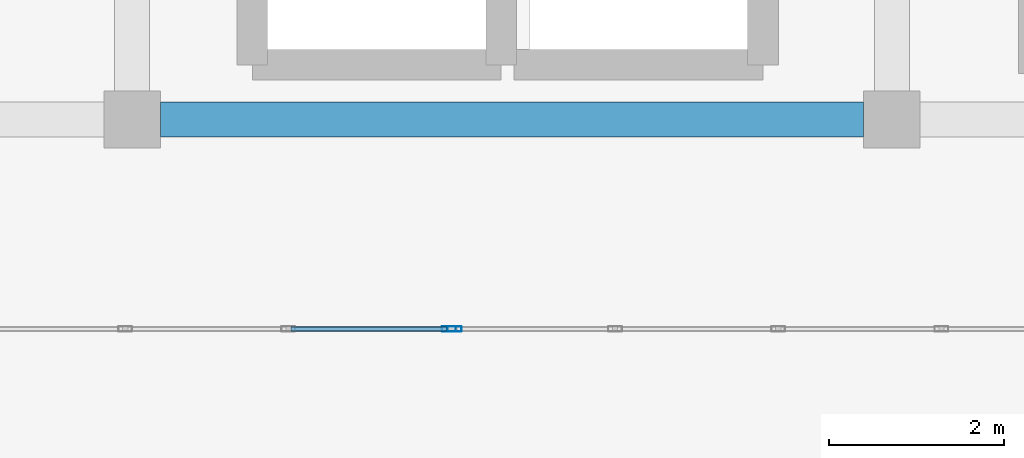
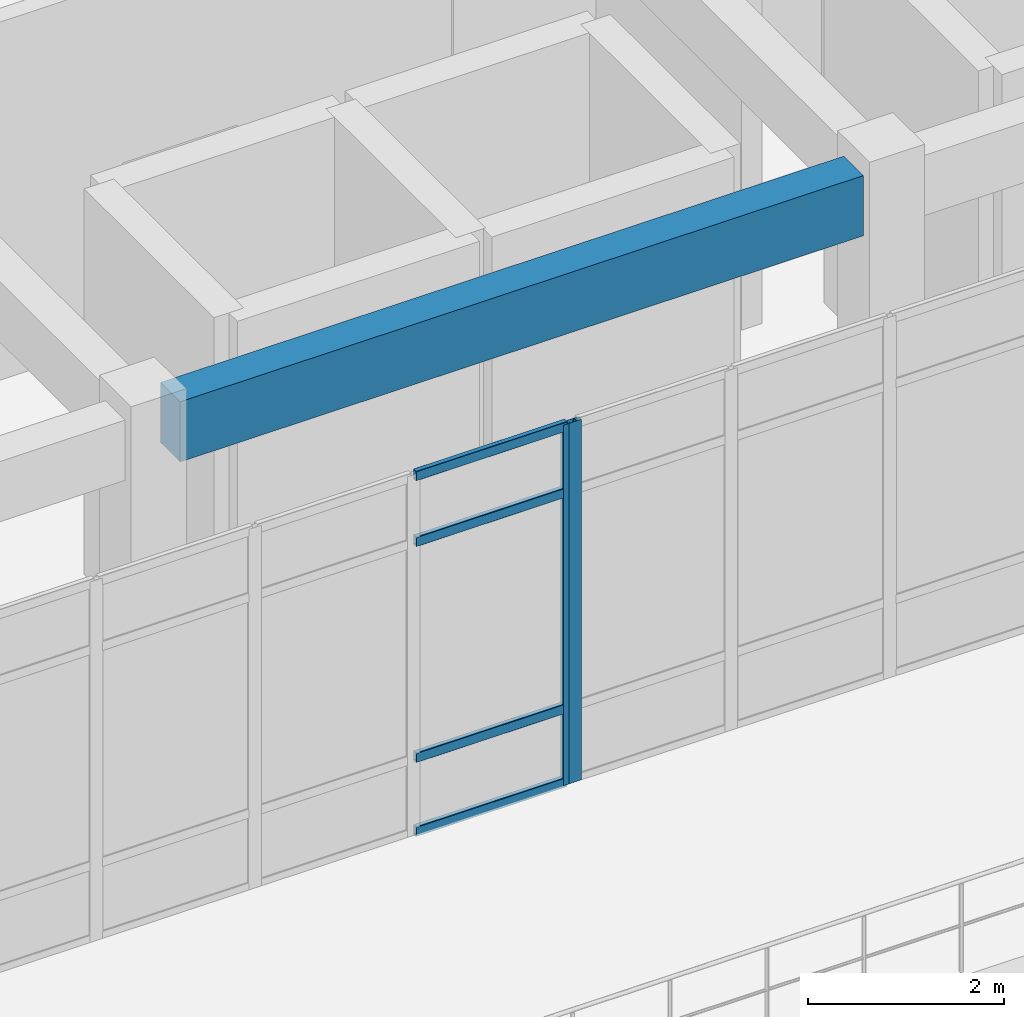
# One storey, part 13 of 41: 6 members, 1 beam, 2 elements without a shape of their own.
"""IFC4 building model written with IfcOpenShell, lengths in metres."""

import ifcopenshell
import ifcopenshell.guid

model = None  # the IFC model being written
_history = None  # IfcOwnerHistory: only IFC2X3 demands one
_inside = {}  # id of a spatial element -> (the spatial element, [elements in it])
_under = {}  # id of a project, library or spatial element -> (it, [spatial elements below it])
_declared = {}  # id of a project -> (the project, [libraries it declares])
_typed = {}  # id of a type object -> (the type object, [elements of that type])
_made_of = {}  # id of a material, layer set ... -> (it, [elements and type objects made of it])


def new_model(schema):
    """Start an empty IFC model of exactly this schema.

    Asked for "IFC4X3", IfcOpenShell would pick the latest addendum, in which some entities
    have other attributes; the version numbers below select the first issue.
    IFC2X3 requires an IfcOwnerHistory on every rooted entity: one is made here for all.
    """
    global model, _history
    if schema == "IFC4X3":
        model = ifcopenshell.file(schema_version=(4, 3, 0, 0))
    else:
        model = ifcopenshell.file(schema=schema)
    _inside.clear()
    _under.clear()
    _declared.clear()
    _typed.clear()
    _made_of.clear()
    _history = None
    if model.schema == "IFC2X3":
        org = make("IfcOrganization", Name="unknown")
        user = make(
            "IfcPersonAndOrganization",
            ThePerson=make("IfcPerson", FamilyName="unknown"),
            TheOrganization=org,
        )
        app = make(
            "IfcApplication",
            ApplicationDeveloper=org,
            Version="unknown",
            ApplicationFullName="unknown",
            ApplicationIdentifier="unknown",
        )
        _history = make(
            "IfcOwnerHistory",
            OwningUser=user,
            OwningApplication=app,
            ChangeAction="ADDED",
            CreationDate=0,
        )
    return model


def make(cls, **values):
    """One entity of the class cls with the attributes given. An attribute that is None is left unset."""
    return model.create_entity(
        cls, **{name: value for name, value in values.items() if value is not None}
    )


def rooted(cls, **values):
    """An entity with a GlobalId (a new one), such as an element, a storey or a relation."""
    return make(cls, GlobalId=ifcopenshell.guid.new(), OwnerHistory=_history, **values)


def si_unit(unit_type, name, prefix=None):
    """IfcSIUnit, for example si_unit("LENGTHUNIT", "METRE", prefix="MILLI")."""
    return make("IfcSIUnit", UnitType=unit_type, Prefix=prefix, Name=name)


def derived_unit(unit_type, elements):
    """IfcDerivedUnit: a product of units, each with its exponent."""
    return make(
        "IfcDerivedUnit",
        Elements=[
            make("IfcDerivedUnitElement", Unit=unit, Exponent=power)
            for unit, power in elements
        ],
        UnitType=unit_type,
    )


def assignment(units):
    """IfcUnitAssignment: the units of a project."""
    return None if units is None else make("IfcUnitAssignment", Units=units)


def point(xyz):
    """IfcCartesianPoint."""
    return None if xyz is None else make("IfcCartesianPoint", Coordinates=xyz)


def direction(xyz):
    """IfcDirection."""
    return None if xyz is None else make("IfcDirection", DirectionRatios=xyz)


def frame(location, z_axis=None, x_axis=None):
    """IfcAxis2Placement3D, a coordinate frame: its origin and axes. An axis left out is left unset."""
    return make(
        "IfcAxis2Placement3D",
        Location=point(location),
        Axis=direction(z_axis),
        RefDirection=direction(x_axis),
    )


def frame_2d(location, x_axis=None):
    """IfcAxis2Placement2D, a coordinate frame in the plane: its origin and x axis."""
    return make(
        "IfcAxis2Placement2D", Location=point(location), RefDirection=direction(x_axis)
    )


def origin():
    """The frame at (0, 0, 0) with its axes left unset."""
    return frame((0.0, 0.0, 0.0))


def origin_2d():
    """The frame at (0, 0) in the plane with its x axis left unset."""
    return frame_2d((0.0, 0.0))


def place(relative_to, where):
    """IfcLocalPlacement: puts the frame where relative to a parent placement (None: the world)."""
    return make(
        "IfcLocalPlacement", PlacementRelTo=relative_to, RelativePlacement=where
    )


def context(
    kind, dimensions, precision=None, world=None, true_north=None, identifier=None
):
    """IfcGeometricRepresentationContext, for example the 3D "Model" context."""
    return make(
        "IfcGeometricRepresentationContext",
        ContextIdentifier=identifier,
        ContextType=kind,
        CoordinateSpaceDimension=dimensions,
        Precision=precision,
        WorldCoordinateSystem=world,
        TrueNorth=true_north,
    )


def subcontext(parent, identifier, kind, view, scale=None):
    """IfcGeometricRepresentationSubContext, for example "Body" below "Model"."""
    return make(
        "IfcGeometricRepresentationSubContext",
        ContextIdentifier=identifier,
        ContextType=kind,
        ParentContext=parent,
        TargetScale=scale,
        TargetView=view,
    )


def project(units=None, contexts=None):
    """IfcProject with its units and contexts."""
    return rooted(
        "IfcProject",
        Name="project",
        RepresentationContexts=contexts,
        UnitsInContext=assignment(units),
    )


def spatial(cls, under=None, at=None, **own):
    """A site, building, storey or space (cls), placed at a placement, below another one or the project."""
    s = rooted(cls, ObjectPlacement=at, **own)
    if under is not None:
        _under.setdefault(under.id(), (under, []))[1].append(s)
    return s


def profile(cls, at=None, kind="AREA", **sizes):
    """A parametric profile (cls). Its sizes go by their IFC names, for example OverallWidth=200.0."""
    return make(cls, ProfileType=kind, Position=at, **sizes)


def rectangle(**sizes):
    """IfcRectangleProfileDef."""
    return profile("IfcRectangleProfileDef", **sizes)


def hollow_rectangle(**sizes):
    """IfcRectangleHollowProfileDef."""
    return profile("IfcRectangleHollowProfileDef", **sizes)


def extrude(swept, where, along, depth):
    """IfcExtrudedAreaSolid: the profile swept, set in the frame where, extruded along a direction by depth."""
    return make(
        "IfcExtrudedAreaSolid",
        SweptArea=swept,
        Position=where,
        ExtrudedDirection=direction(along),
        Depth=depth,
    )


def shape(context_of_items, identifier, shape_type, items):
    """IfcShapeRepresentation: the items that make up one representation, for example the "Body"."""
    return make(
        "IfcShapeRepresentation",
        ContextOfItems=context_of_items,
        RepresentationIdentifier=identifier,
        RepresentationType=shape_type,
        Items=items,
    )


def material(Name=None, Category=None):
    """IfcMaterial."""
    return make("IfcMaterial", Name=Name, Category=Category)


def layer(
    of_material, thickness, ventilated=None, Name=None, Category=None, Priority=None
):
    """IfcMaterialLayer: one layer of a wall or slab, of a material (None: an air gap)."""
    return make(
        "IfcMaterialLayer",
        Material=of_material,
        LayerThickness=thickness,
        IsVentilated=ventilated,
        Name=Name,
        Category=Category,
        Priority=Priority,
    )


def layer_set(layers, Name=None):
    """IfcMaterialLayerSet."""
    return make("IfcMaterialLayerSet", MaterialLayers=layers, LayerSetName=Name)


def material_profile(
    of_material, cross_section, Name=None, Category=None, Priority=None
):
    """IfcMaterialProfile: a cross section and its material."""
    return make(
        "IfcMaterialProfile",
        Name=Name,
        Material=of_material,
        Profile=cross_section,
        Priority=Priority,
        Category=Category,
    )


def profile_set(profiles, Name=None, composite=None):
    """IfcMaterialProfileSet."""
    return make(
        "IfcMaterialProfileSet",
        Name=Name,
        MaterialProfiles=profiles,
        CompositeProfile=composite,
    )


def made_of(thing, what):
    """Note that an element or type object is made of a material, layer set ...; save() writes the relation."""
    if what is not None:
        _made_of.setdefault(what.id(), (what, []))[1].append(thing)
    return thing


def type_object(cls, material=None, **own):
    """A type object (cls), such as IfcWallType, which elements share."""
    return made_of(rooted(cls, **own), material)


def element(
    cls,
    number,
    at=None,
    inside=None,
    cuts=None,
    type_object=None,
    material=None,
    context=None,
    identifier="Body",
    shape_type=None,
    held_by="IfcProductDefinitionShape",
    body=None,
    shapes=None,
    **own,
):
    """One element of the class cls, such as IfcWall. Its Tag is "e" and its number.

    at: its placement. inside: the storey or other place that contains it. cuts: it is an
    opening in that element (IfcRelVoidsElement). A single representation is given by context,
    identifier, shape_type and body (its items); several are given by shapes. held_by: the class
    of the entity that holds the representations. save() writes the other relations.
    """
    e = rooted(cls, Tag="e%d" % number, ObjectPlacement=at, **own)
    if body is not None:
        shapes = [shape(context, identifier, shape_type, body)]
    if shapes is not None:
        e.Representation = make(held_by, Representations=shapes)
    if inside is not None:
        _inside.setdefault(inside.id(), (inside, []))[1].append(e)
    if cuts is not None:
        rooted(
            "IfcRelVoidsElement", RelatingBuildingElement=cuts, RelatedOpeningElement=e
        )
    if type_object is not None:
        _typed.setdefault(type_object.id(), (type_object, []))[1].append(e)
    return made_of(e, material)


def aggregate(whole, parts):
    """IfcRelAggregates: a whole, such as a stair, and the parts it consists of."""
    return rooted("IfcRelAggregates", RelatingObject=whole, RelatedObjects=parts)


def save(model, path):
    """Write the relations noted so far, then the file.

    IfcRelAggregates (storeys below a building ...), IfcRelContainedInSpatialStructure (elements
    in a storey), IfcRelDefinesByType, IfcRelAssociatesMaterial and IfcRelDeclares: one each for
    every whole, place, type object, material and project.
    """
    for whole, parts in _under.values():
        aggregate(whole, parts)
    for where, things in _inside.values():
        rooted(
            "IfcRelContainedInSpatialStructure",
            RelatedElements=things,
            RelatingStructure=where,
        )
    for kind, things in _typed.values():
        rooted("IfcRelDefinesByType", RelatedObjects=things, RelatingType=kind)
    for what, things in _made_of.values():
        rooted("IfcRelAssociatesMaterial", RelatedObjects=things, RelatingMaterial=what)
    for by, libraries in _declared.values():
        rooted("IfcRelDeclares", RelatingContext=by, RelatedDefinitions=libraries)
    model.write(path)


model = new_model("IFC4")

# Units and contexts
model_context = context("Model", 3, precision=1e-05, world=origin(), true_north=direction((0.0, 1.0)))
body_context = subcontext(model_context, "Body", "Model", "MODEL_VIEW")
ifc_project = project(units=[si_unit("LENGTHUNIT", "METRE"), si_unit("AREAUNIT", "SQUARE_METRE"), si_unit("VOLUMEUNIT", "CUBIC_METRE"), si_unit("PLANEANGLEUNIT", "RADIAN"), si_unit("MASSUNIT", "GRAM", prefix="KILO"), derived_unit("THERMALTRANSMITTANCEUNIT", [(si_unit("MASSUNIT", "GRAM", prefix="KILO"), 1), (si_unit("TIMEUNIT", "SECOND"), -3), (si_unit("THERMODYNAMICTEMPERATUREUNIT", "KELVIN"), -1)])], contexts=[model_context])

# Site, building, storey
site_placement = place(None, origin())
site = spatial("IfcSite", under=ifc_project, at=site_placement, CompositionType="ELEMENT")
building_placement = place(site_placement, origin())
building = spatial("IfcBuilding", under=site, at=building_placement, Name="Qinzheling Arcade Emporium", CompositionType="ELEMENT")
storey_placement = place(building_placement, frame((0.0, 0.0, 36.300048828125)))
storey = spatial("IfcBuildingStorey", under=building, at=storey_placement, Name="L08", CompositionType="ELEMENT", Elevation=36.300048828125)

# Curtain wall, member
ifc_material_1 = material(Name="Anodised aluminium and solar-control double glazing", Category="aluminium")
ifc_layer = layer(ifc_material_1, 0.159912109375, Name="Anodised aluminium and solar-control double glazing", Category="aluminium")
ifc_layer_set = layer_set([ifc_layer], Name="Anodised aluminium and solar-control double glazing")
curtain_wall_type = type_object("IfcCurtainWallType", Name="Arcade Portal Glazed Curtain Wall", PredefinedType="NOTDEFINED", material=ifc_layer_set)
curtain_wall_1_placement = place(storey_placement, origin())
curtain_wall_1 = element("IfcCurtainWall", 1, at=curtain_wall_1_placement, inside=storey, type_object=curtain_wall_type, Name="Curtain Wall CW-L08-450", PredefinedType="NOTDEFINED")
ifc_material_2 = material(Name="Anodised aluminium 6063-T6", Category="aluminium")
ifc_material_profile_1 = material_profile(ifc_material_2, hollow_rectangle(XDim=0.06005859375, YDim=0.159912109375, WallThickness=0.00390625, InnerFilletRadius=0.00390625, OuterFilletRadius=0.008056640625, at=origin_2d()), Name="RHS 160x60x4", Category="aluminium")
ifc_profile_set_1 = profile_set([ifc_material_profile_1], Name="Anodised aluminium 6063-T6")
member_type_1 = type_object("IfcMemberType", Name="Curtain Wall Mullion RHS160x60", PredefinedType="MULLION", material=ifc_profile_set_1)
member_1_placement = place(storey_placement, frame((47.19189453125, 22.800048828125, 0.0), z_axis=(0.0, 0.0, 1.0), x_axis=(0.0, -1.0, 0.0)))
member_1 = element("IfcMember", 2, at=member_1_placement, type_object=member_type_1, Name="CW05 mullion 5", PredefinedType="MULLION", context=body_context, shape_type="SweptSolid", body=[
    extrude(hollow_rectangle(XDim=0.06005859375, YDim=0.159912109375, WallThickness=0.00390625, InnerFilletRadius=0.00390625, OuterFilletRadius=0.008056640625, at=origin_2d()), origin(), (0.0, 0.0, 1.0), 4.489990234375),
])
aggregate(curtain_wall_1, [member_1])

# Curtain wall, members
curtain_wall_2_placement = place(storey_placement, origin())
curtain_wall_2 = element("IfcCurtainWall", 3, at=curtain_wall_2_placement, inside=storey, type_object=curtain_wall_type, Name="Curtain Wall CW-L08-451", PredefinedType="NOTDEFINED")
member_2_placement = place(storey_placement, frame((47.1279296875, 22.800048828125, 0.0), z_axis=(0.0, 0.0, 1.0), x_axis=(0.0, -1.0, 0.0)))
member_2 = element("IfcMember", 4, at=member_2_placement, type_object=member_type_1, Name="CW05 mullion 1", PredefinedType="MULLION", context=body_context, shape_type="SweptSolid", body=[
    extrude(hollow_rectangle(XDim=0.06005859375, YDim=0.159912109375, WallThickness=0.00390625, InnerFilletRadius=0.00390625, OuterFilletRadius=0.008056640625, at=origin_2d()), origin(), (0.0, 0.0, 1.0), 4.489990234375),
])
ifc_material_profile_2 = material_profile(ifc_material_2, hollow_rectangle(XDim=0.06005859375, YDim=0.1201171875, WallThickness=0.00390625, InnerFilletRadius=0.00390625, OuterFilletRadius=0.008056640625, at=origin_2d()), Name="RHS 120x60x4", Category="aluminium")
ifc_profile_set_2 = profile_set([ifc_material_profile_2], Name="Anodised aluminium 6063-T6")
member_type_2 = type_object("IfcMemberType", Name="Curtain Wall Transom RHS120x60", PredefinedType="USERDEFINED", material=ifc_profile_set_2)
member_3_placement = place(storey_placement, frame((47.097900390625, 22.800048828125, 0.030029296875), z_axis=(-1.0, 0.0, 0.0), x_axis=(0.0, -1.0, 0.0)))
member_3 = element("IfcMember", 5, at=member_3_placement, type_object=member_type_2, Name="CW05 transom 1.1", ObjectType="TRANSOM", PredefinedType="USERDEFINED", context=body_context, shape_type="SweptSolid", body=[
    extrude(hollow_rectangle(XDim=0.06005859375, YDim=0.1201171875, WallThickness=0.00390625, InnerFilletRadius=0.00390625, OuterFilletRadius=0.008056640625, at=origin_2d()), origin(), (0.0, 0.0, 1.0), 1.77880859375),
])
member_4_placement = place(storey_placement, frame((47.097900390625, 22.800048828125, 0.949951171875), z_axis=(-1.0, 0.0, 0.0), x_axis=(0.0, -1.0, 0.0)))
member_4 = element("IfcMember", 6, at=member_4_placement, type_object=member_type_2, Name="CW05 transom 1.2", ObjectType="TRANSOM", PredefinedType="USERDEFINED", context=body_context, shape_type="SweptSolid", body=[
    extrude(hollow_rectangle(XDim=0.06005859375, YDim=0.1201171875, WallThickness=0.00390625, InnerFilletRadius=0.00390625, OuterFilletRadius=0.008056640625, at=origin_2d()), origin(), (0.0, 0.0, 1.0), 1.77880859375),
])
member_5_placement = place(storey_placement, frame((47.097900390625, 22.800048828125, 3.639892578125), z_axis=(-1.0, 0.0, 0.0), x_axis=(0.0, -1.0, 0.0)))
member_5 = element("IfcMember", 7, at=member_5_placement, type_object=member_type_2, Name="CW05 transom 1.3", ObjectType="TRANSOM", PredefinedType="USERDEFINED", context=body_context, shape_type="SweptSolid", body=[
    extrude(hollow_rectangle(XDim=0.06005859375, YDim=0.1201171875, WallThickness=0.00390625, InnerFilletRadius=0.00390625, OuterFilletRadius=0.008056640625, at=origin_2d()), origin(), (0.0, 0.0, 1.0), 1.77880859375),
])
member_6_placement = place(storey_placement, frame((47.097900390625, 22.800048828125, 4.4599609375), z_axis=(-1.0, 0.0, 0.0), x_axis=(0.0, -1.0, 0.0)))
member_6 = element("IfcMember", 8, at=member_6_placement, type_object=member_type_2, Name="CW05 transom 1.4", ObjectType="TRANSOM", PredefinedType="USERDEFINED", context=body_context, shape_type="SweptSolid", body=[
    extrude(hollow_rectangle(XDim=0.06005859375, YDim=0.1201171875, WallThickness=0.00390625, InnerFilletRadius=0.00390625, OuterFilletRadius=0.008056640625, at=origin_2d()), origin(), (0.0, 0.0, 1.0), 1.77880859375),
])
aggregate(curtain_wall_2, [member_2, member_3, member_4, member_5, member_6])

# Beam
ifc_material_3 = material(Name="Concrete C40", Category="concrete")
ifc_material_profile_3 = material_profile(ifc_material_3, rectangle(XDim=0.39990234375, YDim=0.75, at=origin_2d()), Name="RC 400x750", Category="concrete")
ifc_profile_set_3 = profile_set([ifc_material_profile_3], Name="Concrete C40")
beam_type = type_object("IfcBeamType", Name="RC Interior Tie Beam 400x750 C40", PredefinedType="BEAM", material=ifc_profile_set_3)
beam_placement = place(storey_placement, frame((43.824951171875, 25.199951171875, 4.18505859375), z_axis=(1.0, 0.0, 0.0), x_axis=(0.0, 1.0, 0.0)))
element("IfcBeam", 9, at=beam_placement, inside=storey, type_object=beam_type, Name="Beam BM-L08-X-D-6", PredefinedType="BEAM", context=body_context, shape_type="SweptSolid", body=[
    extrude(rectangle(XDim=0.39990234375, YDim=0.75, at=origin_2d()), origin(), (0.0, 0.0, 1.0), 8.050048828125),
])

save(model, "model.ifc")
